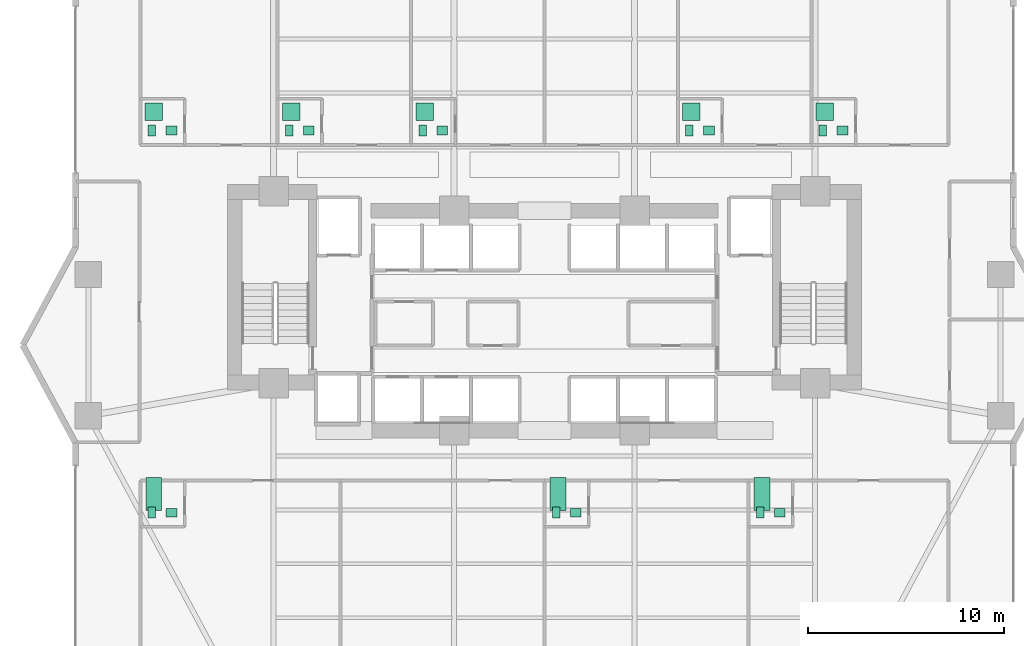
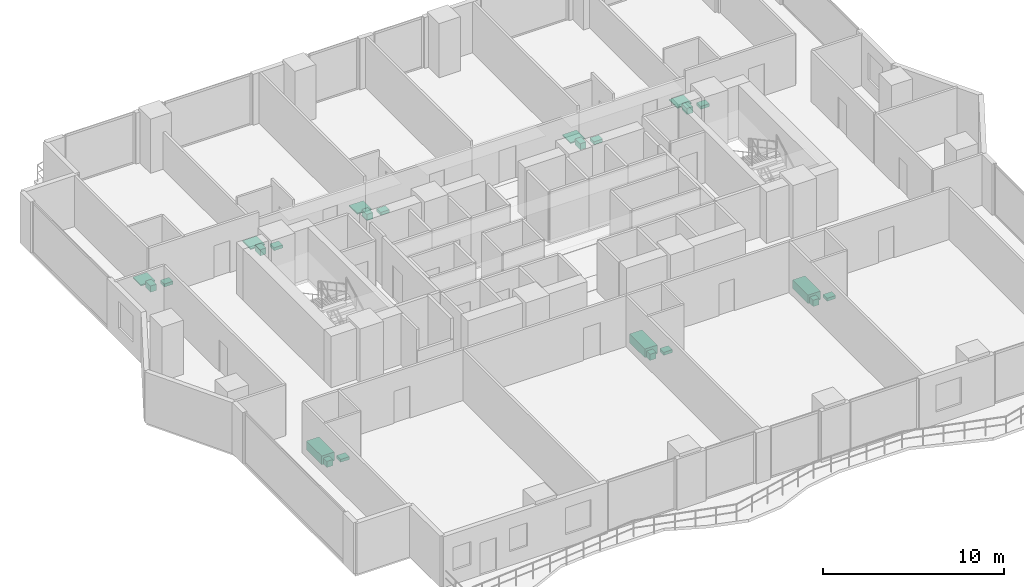
# One storey, part 29 of 29: 24 sanitary terminals.
"""IFC4 building model written with IfcOpenShell, lengths in metres."""

from ifc_helpers import new_model, si_unit, direction, frame, origin, origin_2d, place, context, subcontext, project, spatial, rectangle, extrude, material, type_object, element, save


model = new_model("IFC4")

# Units and contexts
model_context = context("Model", 3, precision=1e-05, world=origin(), true_north=direction((0.0, 1.0)))
body_context = subcontext(model_context, "Body", "Model", "MODEL_VIEW")
ifc_project = project(units=[si_unit("LENGTHUNIT", "METRE"), si_unit("AREAUNIT", "SQUARE_METRE"), si_unit("VOLUMEUNIT", "CUBIC_METRE"), si_unit("PLANEANGLEUNIT", "RADIAN"), si_unit("MASSUNIT", "GRAM", prefix="KILO")], contexts=[model_context])

# Site, building, storey
site_placement = place(None, origin())
site = spatial("IfcSite", under=ifc_project, at=site_placement, CompositionType="ELEMENT")
building_placement = place(site_placement, origin())
building = spatial("IfcBuilding", under=site, at=building_placement, Name="Zuhayl Quay Hotel", CompositionType="ELEMENT")
storey_placement = place(building_placement, frame((0.0, 0.0, 132.14990234375)))
storey = spatial("IfcBuildingStorey", under=building, at=storey_placement, Name="L33", CompositionType="ELEMENT", Elevation=132.14990234375)

# Sanitary terminals
ifc_material = material(Name="Vitreous Porcelain Sanitaryware")
sanitary_terminal_type_1 = type_object("IfcSanitaryTerminalType", Name="SAN_BASIN", PredefinedType="WASHHANDBASIN", material=ifc_material)
for number, where, z_axis, x_axis, name in (
    (1, (-19.010009765625, 17.43994140625, 0.0), (0.0, 0.0, 1.0), (1.0, 0.0, 0.0), "L33 Sanitary Fixture WASHHANDBASIN"),
    (2, (-12.010009765625, 17.43994140625, 0.0), (0.0, 0.0, 1.0), (1.0, 0.0, 0.0), "L33 Sanitary Fixture WASHHANDBASIN"),
    (3, (-5.2099609375, 17.43994140625, 0.0), (0.0, 0.0, 1.0), (1.0, 0.0, 0.0), "L33 Sanitary Fixture WASHHANDBASIN"),
    (4, (8.389892578125, 17.43994140625, 0.0), (0.0, 0.0, 1.0), (1.0, 0.0, 0.0), "L33 Sanitary Fixture WASHHANDBASIN"),
    (5, (15.18994140625, 17.43994140625, 0.0), (0.0, 0.0, 1.0), (1.0, 0.0, 0.0), "L33 Sanitary Fixture WASHHANDBASIN"),
    (6, (-19.010009765625, -2.0400390625, 0.0), (0.0, 0.0, 1.0), (1.0, 0.0, 0.0), "L33 Sanitary Fixture WASHHANDBASIN"),
    (7, (1.590087890625, -2.0400390625, 0.0), (0.0, 0.0, 1.0), (1.0, 0.0, 0.0), "L33 Sanitary Fixture WASHHANDBASIN"),
    (8, (11.989990234375, -2.0400390625, 0.0), (0.0, 0.0, 1.0), (1.0, 0.0, 0.0), "L33 Sanitary Fixture WASHHANDBASIN"),
):
    element("IfcSanitaryTerminal", number, at=place(storey_placement, frame(where, z_axis=z_axis, x_axis=x_axis)), inside=storey, type_object=sanitary_terminal_type_1, Name=name, PredefinedType="WASHHANDBASIN", context=body_context, shape_type="SweptSolid", body=[
        extrude(rectangle(XDim=0.550048828125, YDim=0.449951171875, at=origin_2d()), origin(), (0.0, 0.0, 1.0), 0.199951171875),
    ])
sanitary_terminal_type_2 = type_object("IfcSanitaryTerminalType", Name="SAN_BATH", PredefinedType="BATH", material=ifc_material)
for number, where, z_axis, x_axis, name in (
    (9, (-19.909912109375, -1.090087890625, 0.0), (0.0, 0.0, 1.0), (1.0, 0.0, 0.0), "L33 Sanitary Fixture BATH"),
    (10, (0.68994140625, -1.090087890625, 0.0), (0.0, 0.0, 1.0), (1.0, 0.0, 0.0), "L33 Sanitary Fixture BATH"),
    (11, (11.090087890625, -1.090087890625, 0.0), (0.0, 0.0, 1.0), (1.0, 0.0, 0.0), "L33 Sanitary Fixture BATH"),
):
    element("IfcSanitaryTerminal", number, at=place(storey_placement, frame(where, z_axis=z_axis, x_axis=x_axis)), inside=storey, type_object=sanitary_terminal_type_2, Name=name, PredefinedType="BATH", context=body_context, shape_type="SweptSolid", body=[
        extrude(rectangle(XDim=0.800048828125, YDim=1.699951171875, at=origin_2d()), origin(), (0.0, 0.0, 1.0), 0.580078125),
    ])
sanitary_terminal_type_3 = type_object("IfcSanitaryTerminalType", Name="SAN_SHOWER", PredefinedType="SHOWER", material=ifc_material)
for number, where, z_axis, x_axis, name in (
    (12, (-19.909912109375, 18.389892578125, 0.0), (0.0, 0.0, 1.0), (1.0, 0.0, 0.0), "L33 Sanitary Fixture SHOWER"),
    (13, (-12.909912109375, 18.389892578125, 0.0), (0.0, 0.0, 1.0), (1.0, 0.0, 0.0), "L33 Sanitary Fixture SHOWER"),
    (14, (-6.110107421875, 18.389892578125, 0.0), (0.0, 0.0, 1.0), (1.0, 0.0, 0.0), "L33 Sanitary Fixture SHOWER"),
    (15, (7.489990234375, 18.389892578125, 0.0), (0.0, 0.0, 1.0), (1.0, 0.0, 0.0), "L33 Sanitary Fixture SHOWER"),
    (16, (14.2900390625, 18.389892578125, 0.0), (0.0, 0.0, 1.0), (1.0, 0.0, 0.0), "L33 Sanitary Fixture SHOWER"),
):
    element("IfcSanitaryTerminal", number, at=place(storey_placement, frame(where, z_axis=z_axis, x_axis=x_axis)), inside=storey, type_object=sanitary_terminal_type_3, Name=name, PredefinedType="SHOWER", context=body_context, shape_type="SweptSolid", body=[
        extrude(rectangle(XDim=0.89990234375, YDim=0.89990234375, at=origin_2d()), origin(), (0.0, 0.0, 1.0), 0.080078125),
    ])
sanitary_terminal_type_4 = type_object("IfcSanitaryTerminalType", Name="SAN_WC", PredefinedType="TOILETPAN", material=ifc_material)
for number, where, z_axis, x_axis, name in (
    (17, (-20.010009765625, 17.43994140625, 0.000244140625), (0.0, 0.0, 1.0), (1.0, 0.0, 0.0), "L33 Sanitary Fixture TOILETPAN"),
    (18, (-13.010009765625, 17.43994140625, 0.000244140625), (0.0, 0.0, 1.0), (1.0, 0.0, 0.0), "L33 Sanitary Fixture TOILETPAN"),
    (19, (-6.2099609375, 17.43994140625, 0.000244140625), (0.0, 0.0, 1.0), (1.0, 0.0, 0.0), "L33 Sanitary Fixture TOILETPAN"),
    (20, (7.389892578125, 17.43994140625, 0.000244140625), (0.0, 0.0, 1.0), (1.0, 0.0, 0.0), "L33 Sanitary Fixture TOILETPAN"),
    (21, (14.18994140625, 17.43994140625, 0.000244140625), (0.0, 0.0, 1.0), (1.0, 0.0, 0.0), "L33 Sanitary Fixture TOILETPAN"),
    (22, (-20.010009765625, -2.0400390625, 0.000244140625), (0.0, 0.0, 1.0), (1.0, 0.0, 0.0), "L33 Sanitary Fixture TOILETPAN"),
    (23, (0.590087890625, -2.0400390625, 0.000244140625), (0.0, 0.0, 1.0), (1.0, 0.0, 0.0), "L33 Sanitary Fixture TOILETPAN"),
    (24, (10.989990234375, -2.0400390625, 0.000244140625), (0.0, 0.0, 1.0), (1.0, 0.0, 0.0), "L33 Sanitary Fixture TOILETPAN"),
):
    element("IfcSanitaryTerminal", number, at=place(storey_placement, frame(where, z_axis=z_axis, x_axis=x_axis)), inside=storey, type_object=sanitary_terminal_type_4, Name=name, PredefinedType="TOILETPAN", context=body_context, shape_type="SweptSolid", body=[
        extrude(rectangle(XDim=0.3798828125, YDim=0.56005859375, at=origin_2d()), origin(), (0.0, 0.0, 1.0), 0.419921875),
    ])

save(model, "model.ifc")
